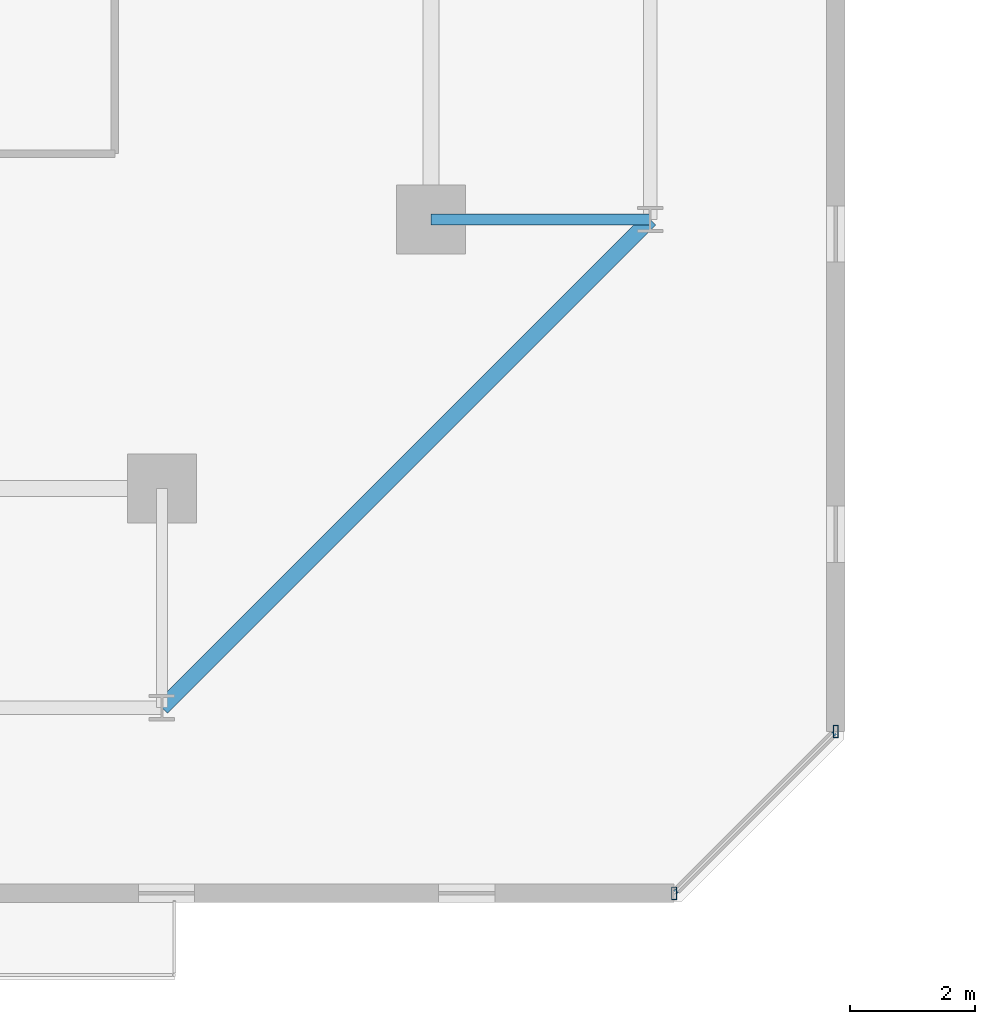
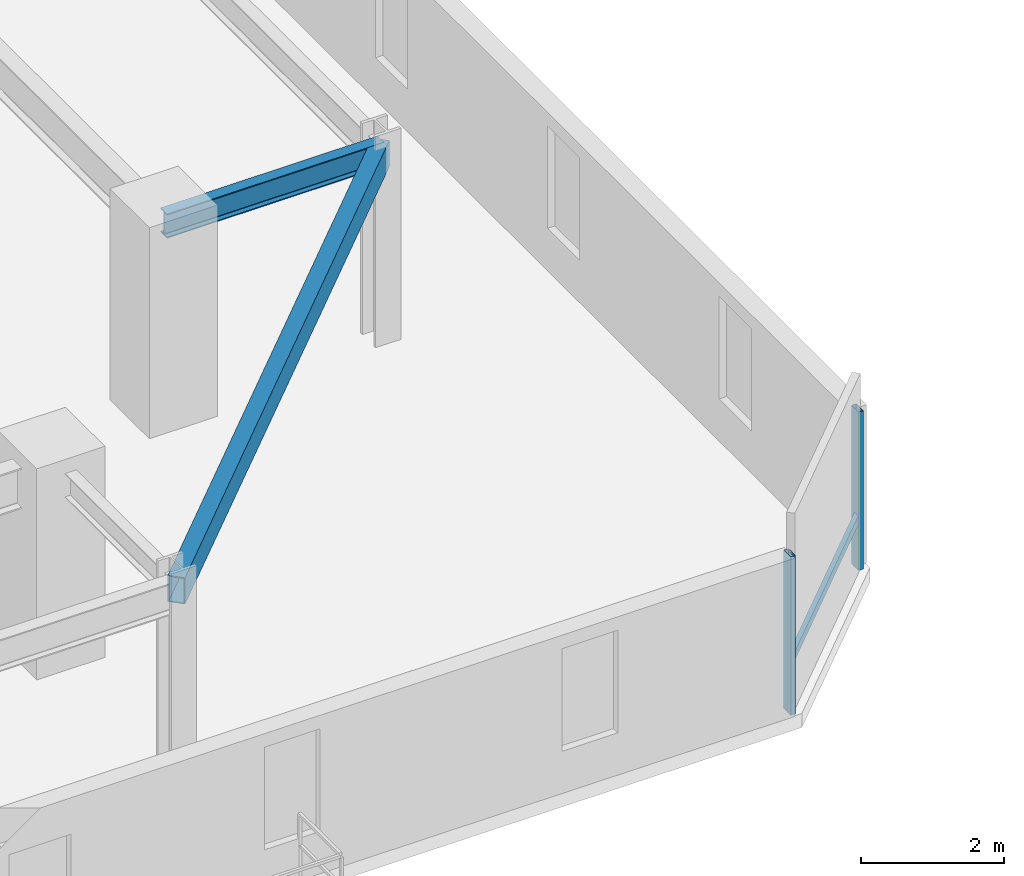
# One storey, part 5 of 32: 3 members, 2 beams, 1 element without a shape of its own.
"""IFC4 building model written with IfcOpenShell, lengths in metres."""

from ifc_helpers import new_model, si_unit, direction, frame, origin, origin_2d, place, context, subcontext, project, spatial, hollow_rectangle, i_section, extrude, material, material_profile, profile_set, type_object, element, aggregate, save


model = new_model("IFC4")

# Units and contexts
model_context = context("Model", 3, precision=1e-05, world=origin(), true_north=direction((0.0, 1.0)))
body_context = subcontext(model_context, "Body", "Model", "MODEL_VIEW")
ifc_project = project(units=[si_unit("LENGTHUNIT", "METRE"), si_unit("AREAUNIT", "SQUARE_METRE"), si_unit("VOLUMEUNIT", "CUBIC_METRE"), si_unit("PLANEANGLEUNIT", "RADIAN"), si_unit("MASSUNIT", "GRAM", prefix="KILO")], contexts=[model_context])

# Site, building, storey
site_placement = place(None, origin())
site = spatial("IfcSite", under=ifc_project, at=site_placement, CompositionType="ELEMENT")
building_placement = place(site_placement, origin())
building = spatial("IfcBuilding", under=site, at=building_placement, Name="Thornwick Lancets Civic Towers", CompositionType="ELEMENT")
storey_placement = place(building_placement, frame((0.0, 0.0, 156.300048828125)))
storey = spatial("IfcBuildingStorey", under=building, at=storey_placement, Name="L41", CompositionType="ELEMENT", Elevation=156.300048828125)

# Beams
ifc_material_1 = material(Name="Steel S355JR", Category="steel")
ifc_material_profile_1 = material_profile(ifc_material_1, i_section(OverallWidth=0.179443359375, OverallDepth=0.412841796875, WebThickness=0.009521484375, FlangeThickness=0.01611328125, FilletRadius=0.01025390625, at=origin_2d()), Name="UKB 406x178x74")
ifc_profile_set_1 = profile_set([ifc_material_profile_1], Name="Steel S355JR")
beam_type_1 = type_object("IfcBeamType", Name="BM_JOIST_406_74", PredefinedType="JOIST", material=ifc_profile_set_1)
beam_1_placement = place(storey_placement, frame((42.800048828125, 14.0, 3.153564453125), z_axis=(1.0, 0.0, 0.0), x_axis=(0.0, 1.0, 0.0)))
element("IfcBeam", 1, at=beam_1_placement, inside=storey, type_object=beam_type_1, Name="BM-RAD-L41-A04", PredefinedType="JOIST", context=body_context, shape_type="SweptSolid", body=[
    extrude(i_section(OverallWidth=0.179443359375, OverallDepth=0.412841796875, WebThickness=0.009521484375, FlangeThickness=0.01611328125, FilletRadius=0.01025390625, at=origin_2d()), origin(), (0.0, 0.0, 1.0), 3.5),
])
ifc_material_profile_2 = material_profile(ifc_material_1, hollow_rectangle(XDim=0.25, YDim=0.449951171875, WallThickness=0.01611328125, at=origin_2d()), Name="RHS 450x250x16")
ifc_profile_set_2 = profile_set([ifc_material_profile_2], Name="Steel S355JR")
beam_type_2 = type_object("IfcBeamType", Name="BM_RING_RHS450", PredefinedType="BEAM", material=ifc_profile_set_2)
beam_2_placement = place(storey_placement, frame((38.5, 6.199951171875, 3.135009765625), z_axis=(0.707106781187, 0.707106781187, 0.0), x_axis=(-0.707106781187, 0.707106781187, 0.0)))
element("IfcBeam", 2, at=beam_2_placement, inside=storey, type_object=beam_type_2, Name="BM-CHAMF-L41-A-C0", PredefinedType="BEAM", context=body_context, shape_type="SweptSolid", body=[
    extrude(hollow_rectangle(XDim=0.25, YDim=0.449951171875, WallThickness=0.01611328125, at=origin_2d()), origin(), (0.0, 0.0, 1.0), 11.031005859375),
])

# Curtain wall, members
ifc_material_2 = material(Name="Mid-zone chamfered-corner unitised glass curtain wall", Category="glass")
curtain_wall_type = type_object("IfcCurtainWallType", Name="CW_SYS_04", PredefinedType="NOTDEFINED", material=ifc_material_2)
curtain_wall_placement = place(storey_placement, origin())
curtain_wall = element("IfcCurtainWall", 3, at=curtain_wall_placement, inside=storey, type_object=curtain_wall_type, Name="L41 Curtain Wall CW-L41-A-E1", PredefinedType="NOTDEFINED")
ifc_material_3 = material(Name="Thermally broken bronze aluminium S355", Category="steel")
ifc_material_profile_3 = material_profile(ifc_material_3, hollow_rectangle(XDim=0.080078125, YDim=0.199951171875, WallThickness=0.006103515625, at=origin_2d()), Name="RHS 200x80x6")
ifc_profile_set_3 = profile_set([ifc_material_profile_3], Name="Thermally broken bronze aluminium S355")
member_type_1 = type_object("IfcMemberType", Name="CW_MUL_200", PredefinedType="MULLION", material=ifc_profile_set_3)
member_1_placement = place(storey_placement, frame((46.681396484375, 3.2353515625, 0.0), z_axis=(0.0, 0.0, 1.0), x_axis=(1.0, 0.0, 0.0)))
member_1 = element("IfcMember", 4, at=member_1_placement, type_object=member_type_1, Name="CW-L41-A-E1 Mullion 0", PredefinedType="MULLION", context=body_context, shape_type="SweptSolid", body=[
    extrude(hollow_rectangle(XDim=0.080078125, YDim=0.199951171875, WallThickness=0.006103515625, at=origin_2d()), origin(), (0.0, 0.0, 1.0), 2.699951171875),
])
member_2_placement = place(storey_placement, frame((49.2646484375, 5.818603515625, 0.0), z_axis=(0.0, 0.0, 1.0), x_axis=(1.0, 0.0, 0.0)))
member_2 = element("IfcMember", 5, at=member_2_placement, type_object=member_type_1, Name="CW-L41-A-E1 Mullion 1", PredefinedType="MULLION", context=body_context, shape_type="SweptSolid", body=[
    extrude(hollow_rectangle(XDim=0.080078125, YDim=0.199951171875, WallThickness=0.006103515625, at=origin_2d()), origin(), (0.0, 0.0, 1.0), 2.699951171875),
])
ifc_material_profile_4 = material_profile(ifc_material_3, hollow_rectangle(XDim=0.074951171875, YDim=0.14990234375, WallThickness=0.0048828125, at=origin_2d()), Name="RHS 150x75x5")
ifc_profile_set_4 = profile_set([ifc_material_profile_4], Name="Thermally broken bronze aluminium S355")
member_type_2 = type_object("IfcMemberType", Name="CW_TRN_150", PredefinedType="USERDEFINED", material=ifc_profile_set_4)
member_3_placement = place(storey_placement, frame((46.695556640625, 3.24951171875, 0.849853515625), z_axis=(0.707106781187, 0.707106781187, 0.0), x_axis=(-0.707106781187, 0.707106781187, 0.0)))
member_3 = element("IfcMember", 6, at=member_3_placement, type_object=member_type_2, Name="CW-L41-A-E1 Transom 0", ObjectType="TRANSOM", PredefinedType="USERDEFINED", context=body_context, shape_type="SweptSolid", body=[
    extrude(hollow_rectangle(XDim=0.074951171875, YDim=0.14990234375, WallThickness=0.0048828125, at=origin_2d()), origin(), (0.0, 0.0, 1.0), 3.61328125),
])
aggregate(curtain_wall, [member_1, member_2, member_3])

save(model, "model.ifc")
